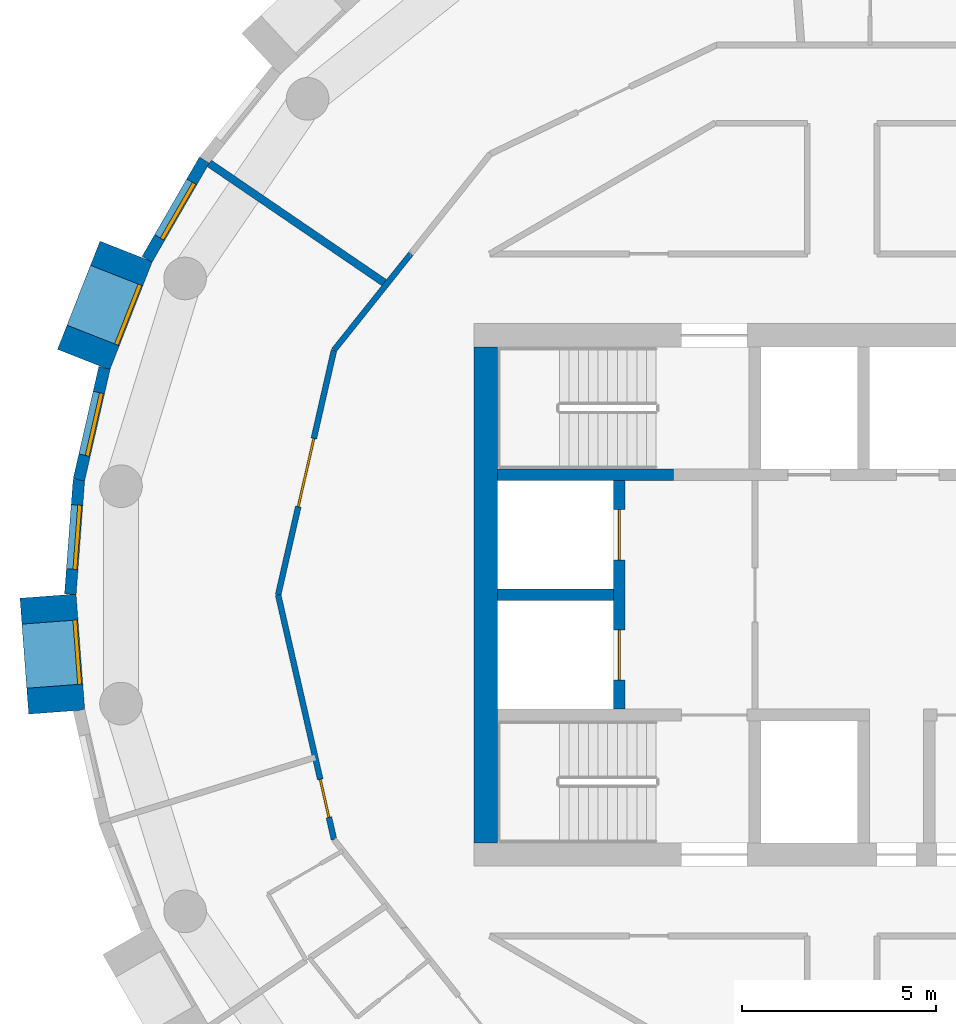
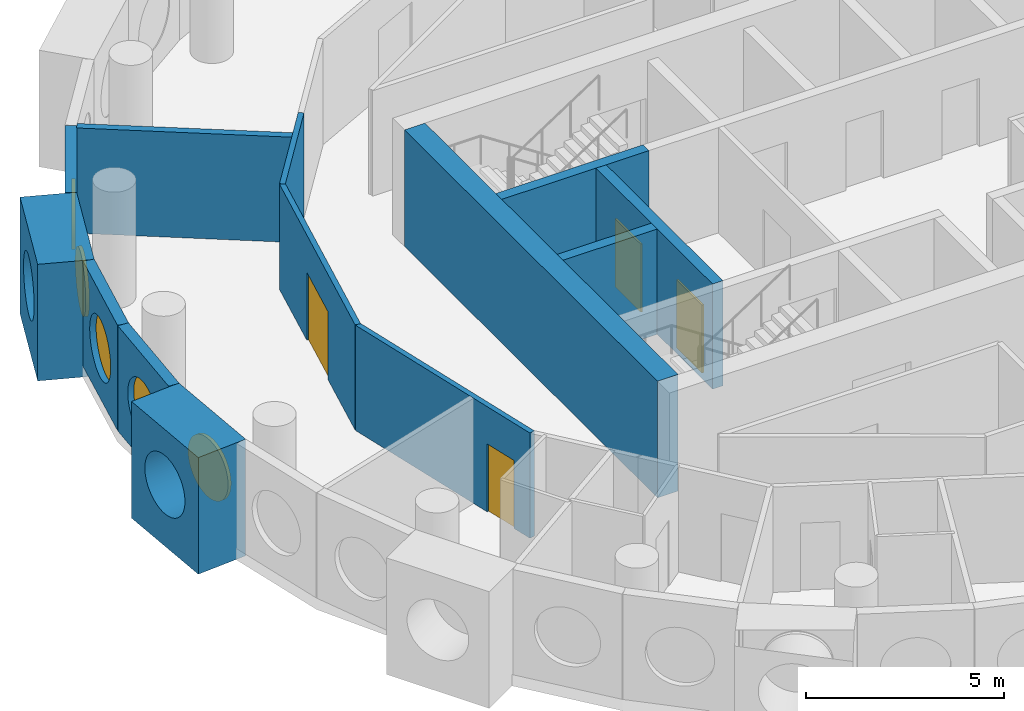
# One storey, part 6 of 13: 13 walls, 5 windows, 4 doors, 9 openings.
"""IFC4 building model written with IfcOpenShell, lengths in metres."""

from ifc_helpers import new_model, si_unit, direction, frame, frame_2d, origin, origin_2d, place, context, subcontext, project, spatial, rectangle, circle, extrude, material, layer, layer_set, type_object, element, fill, save


model = new_model("IFC4")

# Units and contexts
model_context = context("Model", 3, precision=1e-05, world=origin(), true_north=direction((0.0, 1.0)))
body_context = subcontext(model_context, "Body", "Model", "MODEL_VIEW")
ifc_project = project(units=[si_unit("LENGTHUNIT", "METRE"), si_unit("AREAUNIT", "SQUARE_METRE"), si_unit("VOLUMEUNIT", "CUBIC_METRE"), si_unit("PLANEANGLEUNIT", "RADIAN"), si_unit("MASSUNIT", "GRAM", prefix="KILO")], contexts=[model_context])

# Site, building, storey
site_placement = place(None, origin())
site = spatial("IfcSite", under=ifc_project, at=site_placement, CompositionType="ELEMENT")
building_placement = place(site_placement, origin())
building = spatial("IfcBuilding", under=site, at=building_placement, Name="Tracery Tower", CompositionType="ELEMENT")
storey_placement = place(building_placement, frame((0.0, 0.0, 259.800048828125)))
storey = spatial("IfcBuildingStorey", under=building, at=storey_placement, Name="L67", CompositionType="ELEMENT", Elevation=259.800048828125)

# Wall
ifc_material_1 = material(Name="Concrete C40/50", Category="concrete")
ifc_layer_1 = layer(ifc_material_1, 0.60009765625)
ifc_layer_set_1 = layer_set([ifc_layer_1], Name="Core wall 600 C40")
wall_type_1 = type_object("IfcWallType", Name="Core wall 600 C40", PredefinedType="SOLIDWALL", material=ifc_layer_set_1)
wall_1_placement = place(storey_placement, frame((-9.199951171875, -6.39990234375, 0.0), z_axis=(0.0, 0.0, 1.0), x_axis=(0.0, 1.0, 0.0)))
element("IfcWall", 1, at=wall_1_placement, inside=storey, type_object=wall_type_1, Name="L67 outer W", PredefinedType="SOLIDWALL", context=body_context, shape_type="SweptSolid", body=[
    extrude(rectangle(XDim=12.7998046875, YDim=0.60009765625, at=frame_2d((6.39990234375, 0.0))), origin(), (0.0, 0.0, 1.0), 3.599853515625),
])

# Wall, opening, window
ifc_material_2 = material(Name="Precast concrete C50/60", Category="concrete")
ifc_layer_2 = layer(ifc_material_2, 1.449951171875)
ifc_layer_set_2 = layer_set([ifc_layer_2], Name="Deep-set bay unit 3000 x 3600, slab edge 350")
wall_type_2 = type_object("IfcWallType", Name="Deep-set bay unit 3000 x 3600, slab edge 350", PredefinedType="ELEMENTEDWALL", material=ifc_layer_set_2)
wall_2_placement = place(storey_placement, frame((-18.47998046875, 8.8642578125, -0.35009765625), z_axis=(0.0, 0.0, 1.0), x_axis=(-0.36537792632, -0.93085926485, 0.0)))
wall_2 = element("IfcWall", 2, at=wall_2_placement, inside=storey, type_object=wall_type_2, Name="Deep-set bay unit 19 at L67", PredefinedType="ELEMENTEDWALL", context=body_context, shape_type="SweptSolid", body=[
    extrude(rectangle(XDim=3.000244140625, YDim=1.449951171875, at=frame_2d((1.5, 0.0))), origin(), (0.0, 0.0, 1.0), 3.60009765625),
])
opening_1_placement = place(wall_2_placement, frame((1.5, 0.0, 1.89990234375)))
opening_1 = element("IfcOpeningElement", 3, at=opening_1_placement, cuts=wall_2, Name="Opening WN1", PredefinedType="OPENING", context=body_context, shape_type="SweptSolid", body=[
    extrude(circle(Radius=0.9000244140625, at=origin_2d()), frame((0.0, 0.73486328125, 0.0), z_axis=(0.0, -1.0, 0.0), x_axis=(1.0, 0.0, 0.0)), (0.0, 0.0, 1.0), 1.469970703125),
])
ifc_material_3 = material(Name="Aluminium frame with tinted double glazing", Category="aluminium")
window_type = type_object("IfcWindowType", Name="Round window 1800", PartitioningType="SINGLE_PANEL", PredefinedType="WINDOW", material=ifc_material_3)
window_1_placement = place(opening_1_placement, origin())
window_1 = element("IfcWindow", 4, at=window_1_placement, inside=storey, type_object=window_type, Name="Round window 19 at L67", OverallHeight=1.800048828125, OverallWidth=1.800048828125, PartitioningType="SINGLE_PANEL", PredefinedType="WINDOW", context=body_context, shape_type="SweptSolid", body=[
    extrude(circle(Radius=0.9000244140625, at=origin_2d()), frame((0.0, 0.69482421875, 0.0), z_axis=(0.0, -1.0, 0.0), x_axis=(1.0, 0.0, 0.0)), (0.0, 0.0, 1.0), 0.10009765625),
])
fill(opening_1, window_1)

wall_3_placement = place(storey_placement, frame((-20.49609375, -0.03173828125, -0.35009765625), z_axis=(0.0, 0.0, 1.0), x_axis=(0.074785902127, -0.997199613339, 0.0)))
wall_3 = element("IfcWall", 5, at=wall_3_placement, inside=storey, type_object=wall_type_2, Name="Deep-set bay unit 22 at L67", PredefinedType="ELEMENTEDWALL", context=body_context, shape_type="SweptSolid", body=[
    extrude(rectangle(XDim=3.0, YDim=1.449951171875, at=frame_2d((1.5, 0.0))), origin(), (0.0, 0.0, 1.0), 3.60009765625),
])
opening_2_placement = place(wall_3_placement, frame((1.5, 0.0, 1.89990234375)))
opening_2 = element("IfcOpeningElement", 6, at=opening_2_placement, cuts=wall_3, Name="Opening WN1", PredefinedType="OPENING", context=body_context, shape_type="SweptSolid", body=[
    extrude(circle(Radius=0.9000244140625, at=origin_2d()), frame((0.0, 0.73486328125, 0.0), z_axis=(0.0, -1.0, 0.0), x_axis=(1.0, 0.0, 0.0)), (0.0, 0.0, 1.0), 1.469970703125),
])
window_2_placement = place(opening_2_placement, origin())
window_2 = element("IfcWindow", 7, at=window_2_placement, inside=storey, type_object=window_type, Name="Round window 22 at L67", OverallHeight=1.800048828125, OverallWidth=1.800048828125, PartitioningType="SINGLE_PANEL", PredefinedType="WINDOW", context=body_context, shape_type="SweptSolid", body=[
    extrude(circle(Radius=0.9000244140625, at=origin_2d()), frame((0.0, 0.69482421875, 0.0), z_axis=(0.0, -1.0, 0.0), x_axis=(1.0, 0.0, 0.0)), (0.0, 0.0, 1.0), 0.10009765625),
])
fill(opening_2, window_2)

ifc_material_4 = material(Name="Precast concrete C50/60", Category="concrete")
ifc_layer_3 = layer(ifc_material_4, 0.300048828125)
ifc_layer_set_3 = layer_set([ifc_layer_3], Name="Facade panel 3000 x 3250")
wall_type_3 = type_object("IfcWallType", Name="Facade panel 3000 x 3250", PredefinedType="SOLIDWALL", material=ifc_layer_set_3)
wall_4_placement = place(storey_placement, frame((-16.460205078125, 11.222412109375, 0.0), z_axis=(0.0, 0.0, 1.0), x_axis=(-0.499950756475, -0.86605383268, 0.0)))
wall_4 = element("IfcWall", 8, at=wall_4_placement, inside=storey, type_object=wall_type_3, Name="Facade panel 18 at L67", PredefinedType="SOLIDWALL", context=body_context, shape_type="SweptSolid", body=[
    extrude(rectangle(XDim=2.962158203125, YDim=0.300048828125, at=frame_2d((1.48095703125, 0.0))), origin(), (0.0, 0.0, 1.0), 3.25),
])
opening_3_placement = place(wall_4_placement, frame((1.48095703125, 0.0, 1.5498046875)))
opening_3 = element("IfcOpeningElement", 9, at=opening_3_placement, cuts=wall_4, Name="Opening WN1", PredefinedType="OPENING", context=body_context, shape_type="SweptSolid", body=[
    extrude(circle(Radius=0.9000244140625, at=origin_2d()), frame((0.0, 0.159912109375, 0.0), z_axis=(0.0, -1.0, 0.0), x_axis=(1.0, 0.0, 0.0)), (0.0, 0.0, 1.0), 0.320068359375),
])
window_3_placement = place(opening_3_placement, origin())
window_3 = element("IfcWindow", 10, at=window_3_placement, inside=storey, type_object=window_type, Name="Round window 18 at L67", OverallHeight=1.800048828125, OverallWidth=1.800048828125, PartitioningType="SINGLE_PANEL", PredefinedType="WINDOW", context=body_context, shape_type="SweptSolid", body=[
    extrude(circle(Radius=0.9000244140625, at=origin_2d()), frame((0.0, 0.1201171875, 0.0), z_axis=(0.0, -1.0, 0.0), x_axis=(1.0, 0.0, 0.0)), (0.0, 0.0, 1.0), 0.10009765625),
])
fill(opening_3, window_3)

wall_5_placement = place(storey_placement, frame((-19.0400390625, 5.857177734375, 0.0), z_axis=(0.0, 0.0, 1.0), x_axis=(-0.222529389789, -0.974925982155, 0.0)))
wall_5 = element("IfcWall", 11, at=wall_5_placement, inside=storey, type_object=wall_type_3, Name="Facade panel 20 at L67", PredefinedType="SOLIDWALL", context=body_context, shape_type="SweptSolid", body=[
    extrude(rectangle(XDim=2.962158203125, YDim=0.300048828125, at=frame_2d((1.48095703125, 0.0))), origin(), (0.0, 0.0, 1.0), 3.25),
])
opening_4_placement = place(wall_5_placement, frame((1.48095703125, 0.0, 1.5498046875)))
opening_4 = element("IfcOpeningElement", 12, at=opening_4_placement, cuts=wall_5, Name="Opening WN1", PredefinedType="OPENING", context=body_context, shape_type="SweptSolid", body=[
    extrude(circle(Radius=0.9000244140625, at=origin_2d()), frame((0.0, 0.159912109375, 0.0), z_axis=(0.0, -1.0, 0.0), x_axis=(1.0, 0.0, 0.0)), (0.0, 0.0, 1.0), 0.320068359375),
])
window_4_placement = place(opening_4_placement, origin())
window_4 = element("IfcWindow", 13, at=window_4_placement, inside=storey, type_object=window_type, Name="Round window 20 at L67", OverallHeight=1.800048828125, OverallWidth=1.800048828125, PartitioningType="SINGLE_PANEL", PredefinedType="WINDOW", context=body_context, shape_type="SweptSolid", body=[
    extrude(circle(Radius=0.9000244140625, at=origin_2d()), frame((0.0, 0.1201171875, 0.0), z_axis=(0.0, -1.0, 0.0), x_axis=(1.0, 0.0, 0.0)), (0.0, 0.0, 1.0), 0.10009765625),
])
fill(opening_4, window_4)

wall_6_placement = place(storey_placement, frame((-19.69921875, 2.96923828125, 0.0), z_axis=(0.0, 0.0, 1.0), x_axis=(-0.07474897196, -0.997202382263, 0.0)))
wall_6 = element("IfcWall", 14, at=wall_6_placement, inside=storey, type_object=wall_type_3, Name="Facade panel 21 at L67", PredefinedType="SOLIDWALL", context=body_context, shape_type="SweptSolid", body=[
    extrude(rectangle(XDim=2.96240234375, YDim=0.300048828125, at=frame_2d((1.481201171875, 0.0))), origin(), (0.0, 0.0, 1.0), 3.25),
])
opening_5_placement = place(wall_6_placement, frame((1.48095703125, 0.0, 1.5498046875)))
opening_5 = element("IfcOpeningElement", 15, at=opening_5_placement, cuts=wall_6, Name="Opening WN1", PredefinedType="OPENING", context=body_context, shape_type="SweptSolid", body=[
    extrude(circle(Radius=0.9000244140625, at=origin_2d()), frame((0.0, 0.159912109375, 0.0), z_axis=(0.0, -1.0, 0.0), x_axis=(1.0, 0.0, 0.0)), (0.0, 0.0, 1.0), 0.320068359375),
])
window_5_placement = place(opening_5_placement, origin())
window_5 = element("IfcWindow", 16, at=window_5_placement, inside=storey, type_object=window_type, Name="Round window 21 at L67", OverallHeight=1.800048828125, OverallWidth=1.800048828125, PartitioningType="SINGLE_PANEL", PredefinedType="WINDOW", context=body_context, shape_type="SweptSolid", body=[
    extrude(circle(Radius=0.9000244140625, at=origin_2d()), frame((0.0, 0.1201171875, 0.0), z_axis=(0.0, -1.0, 0.0), x_axis=(1.0, 0.0, 0.0)), (0.0, 0.0, 1.0), 0.10009765625),
])
fill(opening_5, window_5)

# Wall
ifc_material_5 = material(Name="Plasterboard on steel studs", Category="steel")
ifc_layer_4 = layer(ifc_material_5, 0.14990234375)
ifc_layer_set_4 = layer_set([ifc_layer_4], Name="Partition 150 corridor wall")
wall_type_4 = type_object("IfcWallType", Name="Partition 150 corridor wall", PredefinedType="PARTITIONING", material=ifc_layer_set_4)
wall_7_placement = place(storey_placement, frame((-13.115234375, 6.316162109375, 0.0), z_axis=(0.0, 0.0, 1.0), x_axis=(0.623560523309, 0.781775078761, 0.0)))
element("IfcWall", 17, at=wall_7_placement, inside=storey, type_object=wall_type_4, Name="Corridor wall RC3-034", PredefinedType="PARTITIONING", context=body_context, shape_type="SweptSolid", body=[
    extrude(rectangle(XDim=3.17724609375, YDim=0.14990234375, at=frame_2d((1.588623046875, 0.0))), origin(), (0.0, 0.0, 1.0), 3.25),
])

# Wall, opening, door
wall_8_placement = place(storey_placement, frame((-14.556884765625, 0.0, 0.0), z_axis=(0.0, 0.0, 1.0), x_axis=(0.22264061368, -0.974900588337, 0.0)))
wall_8 = element("IfcWall", 18, at=wall_8_placement, inside=storey, type_object=wall_type_4, Name="Corridor wall RC3-035", PredefinedType="PARTITIONING", context=body_context, shape_type="SweptSolid", body=[
    extrude(rectangle(XDim=6.478515625, YDim=0.14990234375, at=frame_2d((3.2392578125, 0.0))), origin(), (0.0, 0.0, 1.0), 3.25),
])
opening_6_placement = place(wall_8_placement, frame((4.888427734375, 0.0, 0.0)))
opening_6 = element("IfcOpeningElement", 19, at=opening_6_placement, cuts=wall_8, Name="Opening RC3-19", PredefinedType="OPENING", context=body_context, shape_type="SweptSolid", body=[
    extrude(rectangle(XDim=1.0, YDim=2.10009765625, at=frame_2d((0.5, 1.050048828125))), frame((0.0, 0.074951171875, 0.0), z_axis=(0.0, -1.0, 0.0), x_axis=(1.0, 0.0, 0.0)), (0.0, 0.0, 1.0), 0.14990234375),
])
ifc_material_6 = material(Name="Timber door leaf", Category="wood")
door_type_1 = type_object("IfcDoorType", Name="Door unit entrance 1000", OperationType="NOTDEFINED", PredefinedType="DOOR", material=ifc_material_6)
door_1_placement = place(opening_6_placement, origin())
door_1 = element("IfcDoor", 20, at=door_1_placement, inside=storey, type_object=door_type_1, Name="Unit entrance door RC3-19", OperationType="SINGLE_SWING_RIGHT", OverallHeight=2.10009765625, OverallWidth=1.0, PredefinedType="DOOR", context=body_context, shape_type="SweptSolid", body=[
    extrude(rectangle(XDim=1.0, YDim=2.10009765625, at=frame_2d((0.5, 1.050048828125))), frame((0.0, 0.02490234375, 0.0), z_axis=(0.0, -1.0, 0.0), x_axis=(1.0, 0.0, 0.0)), (0.0, 0.0, 1.0), 0.050048828125),
])
fill(opening_6, door_1)

wall_9_placement = place(storey_placement, frame((-14.556884765625, 0.0, 0.0), z_axis=(0.0, 0.0, 1.0), x_axis=(0.222568978642, 0.97491694505, 0.0)))
wall_9 = element("IfcWall", 21, at=wall_9_placement, inside=storey, type_object=wall_type_4, Name="Corridor wall RC3-036", PredefinedType="PARTITIONING", context=body_context, shape_type="SweptSolid", body=[
    extrude(rectangle(XDim=6.478515625, YDim=0.14990234375, at=frame_2d((3.2392578125, 0.0))), origin(), (0.0, 0.0, 1.0), 3.25),
])
opening_7_placement = place(wall_9_placement, frame((2.339111328125, 0.0, 0.0)))
opening_7 = element("IfcOpeningElement", 22, at=opening_7_placement, cuts=wall_9, Name="Opening RC3-17", PredefinedType="OPENING", context=body_context, shape_type="SweptSolid", body=[
    extrude(rectangle(XDim=1.800048828125, YDim=2.10009765625, at=frame_2d((0.89990234375, 1.050048828125))), frame((0.0, 0.074951171875, 0.0), z_axis=(0.0, -1.0, 0.0), x_axis=(1.0, 0.0, 0.0)), (0.0, 0.0, 1.0), 0.14990234375),
])
ifc_material_7 = material(Name="Timber door leaf", Category="wood")
door_type_2 = type_object("IfcDoorType", Name="Door double lounge 1800", OperationType="NOTDEFINED", PredefinedType="DOOR", material=ifc_material_7)
door_2_placement = place(opening_7_placement, origin())
door_2 = element("IfcDoor", 23, at=door_2_placement, inside=storey, type_object=door_type_2, Name="Double lounge door RC3-17", OperationType="DOUBLE_DOOR_SINGLE_SWING", OverallHeight=2.10009765625, OverallWidth=1.800048828125, PredefinedType="DOOR", context=body_context, shape_type="SweptSolid", body=[
    extrude(rectangle(XDim=1.800048828125, YDim=2.10009765625, at=frame_2d((0.89990234375, 1.050048828125))), frame((0.0, 0.02490234375, 0.0), z_axis=(0.0, -1.0, 0.0), x_axis=(1.0, 0.0, 0.0)), (0.0, 0.0, 1.0), 0.050048828125),
])
fill(opening_7, door_2)

# Walls
ifc_material_8 = material(Name="Plasterboard on steel studs", Category="steel")
ifc_layer_5 = layer(ifc_material_8, 0.199951171875)
ifc_layer_set_5 = layer_set([ifc_layer_5], Name="Partition 200 compartment wall")
wall_type_5 = type_object("IfcWallType", Name="Partition 200 compartment wall", PredefinedType="PARTITIONING", material=ifc_layer_set_5)
wall_10_placement = place(storey_placement, frame((-16.3359375, 11.137939453125, 0.0), z_axis=(0.0, 0.0, 1.0), x_axis=(0.826207761897, -0.563365542238, 0.0)))
element("IfcWall", 24, at=wall_10_placement, inside=storey, type_object=wall_type_5, Name="Compartment wall RC3-068", PredefinedType="PARTITIONING", context=body_context, shape_type="SweptSolid", body=[
    extrude(rectangle(XDim=5.53955078125, YDim=0.199951171875, at=frame_2d((2.769775390625, 0.0))), origin(), (0.0, 0.0, 1.0), 3.25),
])
ifc_material_9 = material(Name="Concrete C40/50", Category="concrete")
ifc_layer_6 = layer(ifc_material_9, 0.300048828125)
ifc_layer_set_6 = layer_set([ifc_layer_6], Name="Shaft wall 300 C40")
wall_type_6 = type_object("IfcWallType", Name="Shaft wall 300 C40", PredefinedType="SOLIDWALL", material=ifc_layer_set_6)
wall_11_placement = place(storey_placement, frame((-8.89990234375, 0.0, 0.0), z_axis=(0.0, 0.0, 1.0), x_axis=(1.0, 0.0, 0.0)))
element("IfcWall", 25, at=wall_11_placement, inside=storey, type_object=wall_type_6, Name="L67 FF split", PredefinedType="SOLIDWALL", context=body_context, shape_type="SweptSolid", body=[
    extrude(rectangle(XDim=3.0, YDim=0.300048828125, at=frame_2d((1.5, 0.0))), origin(), (0.0, 0.0, 1.0), 3.25),
])

# Wall, openings, doors
wall_12_placement = place(storey_placement, frame((-5.75, -2.949951171875, 0.0), z_axis=(0.0, 0.0, 1.0), x_axis=(0.0, 1.0, 0.0)))
wall_12 = element("IfcWall", 26, at=wall_12_placement, inside=storey, type_object=wall_type_6, Name="L67 FF doors", PredefinedType="SOLIDWALL", context=body_context, shape_type="SweptSolid", body=[
    extrude(rectangle(XDim=5.89990234375, YDim=0.300048828125, at=frame_2d((2.949951171875, 0.0))), origin(), (0.0, 0.0, 1.0), 3.25),
])
opening_8_placement = place(wall_12_placement, frame((0.75, 0.0, 0.0)))
opening_8 = element("IfcOpeningElement", 27, at=opening_8_placement, cuts=wall_12, Name="Opening KD54", PredefinedType="OPENING", context=body_context, shape_type="SweptSolid", body=[
    extrude(rectangle(XDim=1.300048828125, YDim=2.10009765625, at=frame_2d((0.64990234375, 1.050048828125))), frame((0.0, 0.14990234375, 0.0), z_axis=(0.0, -1.0, 0.0), x_axis=(1.0, 0.0, 0.0)), (0.0, 0.0, 1.0), 0.300048828125),
])
opening_9_placement = place(wall_12_placement, frame((3.85009765625, 0.0, 0.0)))
opening_9 = element("IfcOpeningElement", 28, at=opening_9_placement, cuts=wall_12, Name="Opening KD55", PredefinedType="OPENING", context=body_context, shape_type="SweptSolid", body=[
    extrude(rectangle(XDim=1.300048828125, YDim=2.10009765625, at=frame_2d((0.64990234375, 1.050048828125))), frame((0.0, 0.14990234375, 0.0), z_axis=(0.0, -1.0, 0.0), x_axis=(1.0, 0.0, 0.0)), (0.0, 0.0, 1.0), 0.300048828125),
])
ifc_material_10 = material(Name="Steel fire door", Category="steel")
door_type_3 = type_object("IfcDoorType", Name="Landing door FF 1300", OperationType="NOTDEFINED", PredefinedType="DOOR", material=ifc_material_10)
door_3_placement = place(opening_8_placement, origin())
door_3 = element("IfcDoor", 29, at=door_3_placement, inside=storey, type_object=door_type_3, Name="Landing door FF1", OperationType="SLIDING_TO_LEFT", OverallHeight=2.10009765625, OverallWidth=1.300048828125, PredefinedType="DOOR", context=body_context, shape_type="SweptSolid", body=[
    extrude(rectangle(XDim=1.300048828125, YDim=2.10009765625, at=frame_2d((0.64990234375, 1.050048828125))), frame((0.0, 0.02490234375, 0.0), z_axis=(0.0, -1.0, 0.0), x_axis=(1.0, 0.0, 0.0)), (0.0, 0.0, 1.0), 0.050048828125),
])
fill(opening_8, door_3)
door_4_placement = place(opening_9_placement, origin())
door_4 = element("IfcDoor", 30, at=door_4_placement, inside=storey, type_object=door_type_3, Name="Landing door FF2", OperationType="SLIDING_TO_RIGHT", OverallHeight=2.10009765625, OverallWidth=1.300048828125, PredefinedType="DOOR", context=body_context, shape_type="SweptSolid", body=[
    extrude(rectangle(XDim=1.300048828125, YDim=2.10009765625, at=frame_2d((0.64990234375, 1.050048828125))), frame((0.0, 0.02490234375, 0.0), z_axis=(0.0, -1.0, 0.0), x_axis=(1.0, 0.0, 0.0)), (0.0, 0.0, 1.0), 0.050048828125),
])
fill(opening_9, door_4)

# Wall
ifc_material_11 = material(Name="Concrete C40/50", Category="concrete")
ifc_layer_7 = layer(ifc_material_11, 0.300048828125)
ifc_layer_set_7 = layer_set([ifc_layer_7], Name="Stair wall 300 C40")
wall_type_7 = type_object("IfcWallType", Name="Stair wall 300 C40", PredefinedType="SOLIDWALL", material=ifc_layer_set_7)
wall_13_placement = place(storey_placement, frame((-8.89990234375, 3.10009765625, 0.0), z_axis=(0.0, 0.0, 1.0), x_axis=(1.0, 0.0, 0.0)))
element("IfcWall", 31, at=wall_13_placement, inside=storey, type_object=wall_type_7, Name="L67 row N W", PredefinedType="SOLIDWALL", context=body_context, shape_type="SweptSolid", body=[
    extrude(rectangle(XDim=4.5498046875, YDim=0.300048828125, at=frame_2d((2.27490234375, 0.0))), origin(), (0.0, 0.0, 1.0), 3.25),
])

save(model, "model.ifc")
